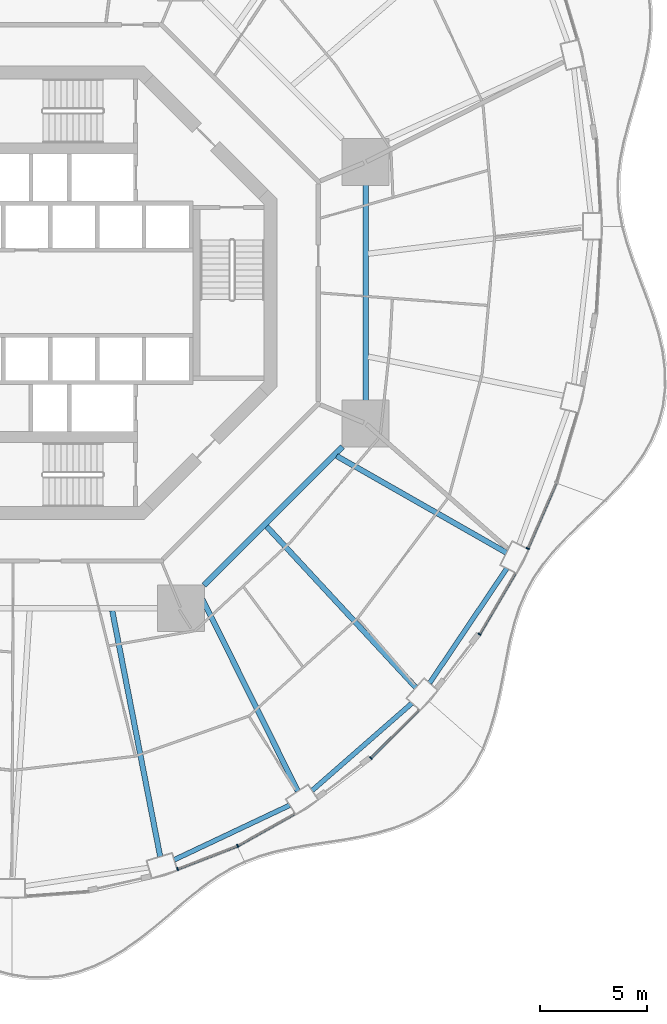
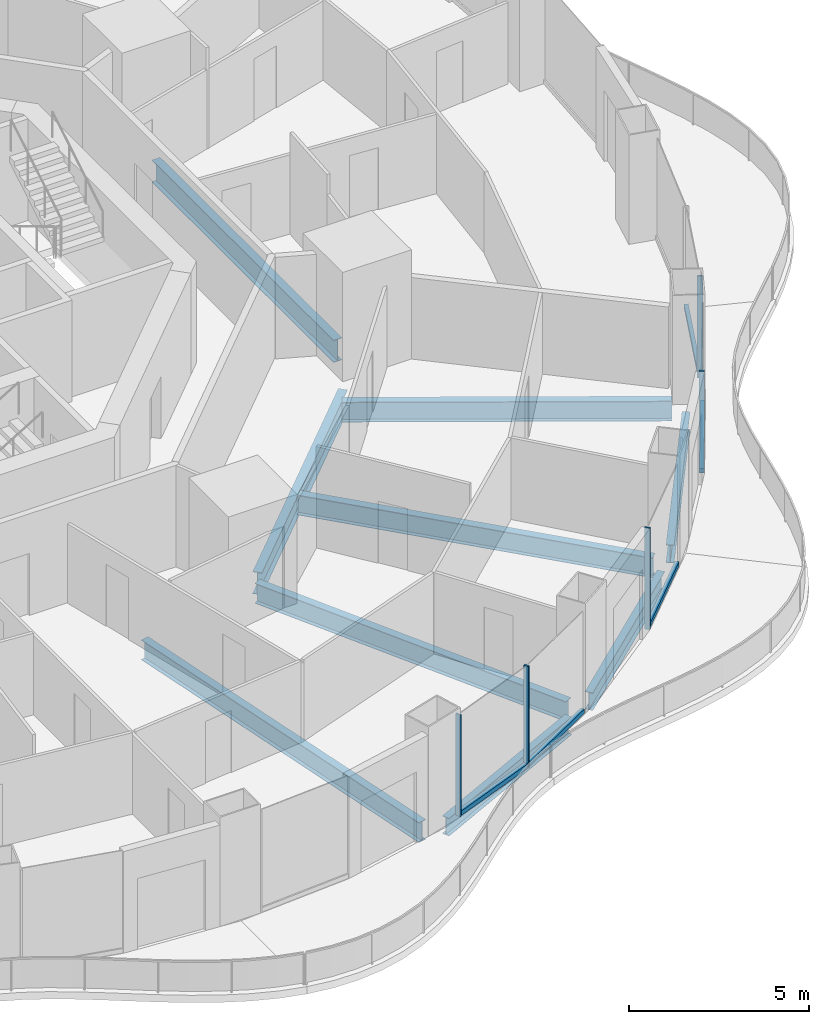
# One storey, part 5 of 22: 10 members, 9 beams, 5 elements without a shape of their own.
"""IFC4 building model written with IfcOpenShell, lengths in metres."""

from ifc_helpers import new_model, si_unit, direction, frame, origin, origin_2d, place, context, subcontext, project, spatial, rectangle, i_section, extrude, material, layer, layer_set, material_profile, profile_set, type_object, element, aggregate, save


model = new_model("IFC4")

# Units and contexts
model_context = context("Model", 3, precision=1e-05, world=origin(), true_north=direction((0.0, 1.0)))
body_context = subcontext(model_context, "Body", "Model", "MODEL_VIEW")
ifc_project = project(units=[si_unit("LENGTHUNIT", "METRE"), si_unit("AREAUNIT", "SQUARE_METRE"), si_unit("VOLUMEUNIT", "CUBIC_METRE"), si_unit("PLANEANGLEUNIT", "RADIAN"), si_unit("MASSUNIT", "GRAM", prefix="KILO")], contexts=[model_context])

# Site, building, storey
site_placement = place(None, origin())
site = spatial("IfcSite", under=ifc_project, at=site_placement, CompositionType="ELEMENT")
building_placement = place(site_placement, origin())
building = spatial("IfcBuilding", under=site, at=building_placement, Name="Nagisa Residences", CompositionType="ELEMENT")
storey_placement = place(building_placement, frame((0.0, 0.0, 80.699951171875)))
storey = spatial("IfcBuildingStorey", under=building, at=storey_placement, Name="L19", CompositionType="ELEMENT", Elevation=80.699951171875)

# Curtain wall, member
ifc_material_1 = material(Name="Concrete-coloured aluminium curtain wall system", Category="concrete")
ifc_layer = layer(ifc_material_1, 0.159912109375)
ifc_layer_set = layer_set([ifc_layer], Name="CW1 CURTAIN WALL")
curtain_wall_type = type_object("IfcCurtainWallType", Name="CW1 CURTAIN WALL", PredefinedType="NOTDEFINED", material=ifc_layer_set)
curtain_wall_1_placement = place(storey_placement, origin())
curtain_wall_1 = element("IfcCurtainWall", 1, at=curtain_wall_1_placement, inside=storey, type_object=curtain_wall_type, Name="cw:CW1:L19:38", PredefinedType="NOTDEFINED")
ifc_material_2 = material(Name="Concrete-coloured aluminium", Category="concrete")
ifc_material_profile_1 = material_profile(ifc_material_2, rectangle(XDim=0.159912109375, YDim=0.06005859375, at=origin_2d()), Name="CW1 MULLION 160x60")
ifc_profile_set_1 = profile_set([ifc_material_profile_1], Name="Concrete-coloured aluminium")
member_type_1 = type_object("IfcMemberType", Name="CW1 MULLION 160x60", PredefinedType="MULLION", material=ifc_profile_set_1)
member_1_placement = place(storey_placement, frame((5.973388671875, -27.00390625, 0.0), z_axis=(0.0, 0.0, 1.0), x_axis=(-0.360327770268, 0.932825759707, 0.0)))
member_1 = element("IfcMember", 2, at=member_1_placement, type_object=member_type_1, Name="CW1 mullion", PredefinedType="MULLION", context=body_context, shape_type="SweptSolid", body=[
    extrude(rectangle(XDim=0.159912109375, YDim=0.06005859375, at=origin_2d()), origin(), (0.0, 0.0, 1.0), 3.43994140625),
])

curtain_wall_2_placement = place(storey_placement, origin())
curtain_wall_2 = element("IfcCurtainWall", 3, at=curtain_wall_2_placement, inside=storey, type_object=curtain_wall_type, Name="cw:CW1:L19:39", PredefinedType="NOTDEFINED")
member_2_placement = place(storey_placement, frame((8.785400390625, -25.913818359375, 0.0), z_axis=(0.0, 0.0, 1.0), x_axis=(-0.489376918501, 0.872072377523, 0.0)))
member_2 = element("IfcMember", 4, at=member_2_placement, type_object=member_type_1, Name="CW1 mullion", PredefinedType="MULLION", context=body_context, shape_type="SweptSolid", body=[
    extrude(rectangle(XDim=0.159912109375, YDim=0.06005859375, at=origin_2d()), origin(), (0.0, 0.0, 1.0), 3.43994140625),
])

curtain_wall_3_placement = place(storey_placement, origin())
curtain_wall_3 = element("IfcCurtainWall", 5, at=curtain_wall_3_placement, inside=storey, type_object=curtain_wall_type, Name="cw:CW1:L19:41", PredefinedType="NOTDEFINED")
member_3_placement = place(storey_placement, frame((15.0244140625, -21.80712890625, 0.0), z_axis=(0.0, 0.0, 1.0), x_axis=(-0.706376885714, 0.707835924016, 0.0)))
member_3 = element("IfcMember", 6, at=member_3_placement, type_object=member_type_1, Name="CW1 mullion", PredefinedType="MULLION", context=body_context, shape_type="SweptSolid", body=[
    extrude(rectangle(XDim=0.159912109375, YDim=0.06005859375, at=origin_2d()), origin(), (0.0, 0.0, 1.0), 3.43994140625),
])

curtain_wall_4_placement = place(storey_placement, origin())
curtain_wall_4 = element("IfcCurtainWall", 7, at=curtain_wall_4_placement, inside=storey, type_object=curtain_wall_type, Name="cw:CW1:L19:43", PredefinedType="NOTDEFINED")
member_4_placement = place(storey_placement, frame((20.1181640625, -16.0009765625, 0.0), z_axis=(0.0, 0.0, 1.0), x_axis=(-0.862328898214, 0.506348567002, 0.0)))
member_4 = element("IfcMember", 8, at=member_4_placement, type_object=member_type_1, Name="CW1 mullion", PredefinedType="MULLION", context=body_context, shape_type="SweptSolid", body=[
    extrude(rectangle(XDim=0.159912109375, YDim=0.06005859375, at=origin_2d()), origin(), (0.0, 0.0, 1.0), 3.43994140625),
])

curtain_wall_5_placement = place(storey_placement, origin())
curtain_wall_5 = element("IfcCurtainWall", 9, at=curtain_wall_5_placement, inside=storey, type_object=curtain_wall_type, Name="cw:CW1:L19:44", PredefinedType="NOTDEFINED")
member_5_placement = place(storey_placement, frame((22.381591796875, -11.984130859375, 0.0), z_axis=(0.0, 0.0, 1.0), x_axis=(-0.917543276295, 0.397635934147, 0.0)))
member_5 = element("IfcMember", 10, at=member_5_placement, type_object=member_type_1, Name="CW1 mullion", PredefinedType="MULLION", context=body_context, shape_type="SweptSolid", body=[
    extrude(rectangle(XDim=0.159912109375, YDim=0.06005859375, at=origin_2d()), origin(), (0.0, 0.0, 1.0), 3.43994140625),
])

# Member
ifc_material_3 = material(Name="Concrete-coloured aluminium", Category="concrete")
ifc_material_profile_2 = material_profile(ifc_material_3, rectangle(XDim=0.1201171875, YDim=0.14990234375, at=origin_2d()), Name="CW1 TRANSOM 120x150")
ifc_profile_set_2 = profile_set([ifc_material_profile_2], Name="Concrete-coloured aluminium")
member_type_2 = type_object("IfcMemberType", Name="CW1 TRANSOM 120x150", PredefinedType="USERDEFINED", material=ifc_profile_set_2)
member_6_placement = place(storey_placement, frame((5.945556640625, -27.0146484375, 0.074951171875), z_axis=(0.932827091302, 0.360324322982, 0.0), x_axis=(-0.360324322982, 0.932827091302, 0.0)))
member_6 = element("IfcMember", 11, at=member_6_placement, type_object=member_type_2, Name="CW1 transom", ObjectType="TRANSOM", PredefinedType="USERDEFINED", context=body_context, shape_type="SweptSolid", body=[
    extrude(rectangle(XDim=0.1201171875, YDim=0.14990234375, at=origin_2d()), origin(), (0.0, 0.0, 1.0), 3.02734375),
])

aggregate(curtain_wall_1, [member_1, member_6])

member_7_placement = place(storey_placement, frame((8.75927734375, -25.9287109375, 0.074951171875), z_axis=(0.872037280335, 0.489439456631, 0.0), x_axis=(-0.489439456631, 0.872037280335, 0.0)))
member_7 = element("IfcMember", 12, at=member_7_placement, type_object=member_type_2, Name="CW1 transom", ObjectType="TRANSOM", PredefinedType="USERDEFINED", context=body_context, shape_type="SweptSolid", body=[
    extrude(rectangle(XDim=0.1201171875, YDim=0.14990234375, at=origin_2d()), origin(), (0.0, 0.0, 1.0), 3.07568359375),
])

aggregate(curtain_wall_2, [member_2, member_7])

member_8_placement = place(storey_placement, frame((15.003173828125, -21.828125, 0.074951171875), z_axis=(0.707831724839, 0.70638109354, 0.0), x_axis=(-0.70638109354, 0.707831724839, 0.0)))
member_8 = element("IfcMember", 13, at=member_8_placement, type_object=member_type_2, Name="CW1 transom", ObjectType="TRANSOM", PredefinedType="USERDEFINED", context=body_context, shape_type="SweptSolid", body=[
    extrude(rectangle(XDim=0.1201171875, YDim=0.14990234375, at=origin_2d()), origin(), (0.0, 0.0, 1.0), 3.19775390625),
])

aggregate(curtain_wall_3, [member_3, member_8])

member_9_placement = place(storey_placement, frame((20.10302734375, -16.02685546875, 0.074951171875), z_axis=(0.506329983076, 0.86233981019, 0.0), x_axis=(-0.86233981019, 0.506329983076, 0.0)))
member_9 = element("IfcMember", 14, at=member_9_placement, type_object=member_type_2, Name="CW1 transom", ObjectType="TRANSOM", PredefinedType="USERDEFINED", context=body_context, shape_type="SweptSolid", body=[
    extrude(rectangle(XDim=0.1201171875, YDim=0.14990234375, at=origin_2d()), origin(), (0.0, 0.0, 1.0), 3.32470703125),
])

aggregate(curtain_wall_4, [member_4, member_9])

member_10_placement = place(storey_placement, frame((22.36962890625, -12.011474609375, 0.074951171875), z_axis=(0.397621629246, 0.917549475481, 0.0), x_axis=(-0.917549475481, 0.397621629246, 0.0)))
member_10 = element("IfcMember", 15, at=member_10_placement, type_object=member_type_2, Name="CW1 transom", ObjectType="TRANSOM", PredefinedType="USERDEFINED", context=body_context, shape_type="SweptSolid", body=[
    extrude(rectangle(XDim=0.1201171875, YDim=0.14990234375, at=origin_2d()), origin(), (0.0, 0.0, 1.0), 3.37939453125),
])

aggregate(curtain_wall_5, [member_5, member_10])

# Beams
ifc_material_4 = material(Name="Steel ASTM A572 Gr 50", Category="steel")
ifc_material_profile_3 = material_profile(ifc_material_4, i_section(OverallWidth=0.264892578125, OverallDepth=0.7529296875, WebThickness=0.01318359375, FlangeThickness=0.01708984375, at=origin_2d()), Name="W760x147")
ifc_profile_set_3 = profile_set([ifc_material_profile_3], Name="Steel ASTM A572 Gr 50")
beam_type_1 = type_object("IfcBeamType", Name="Inner ring beam W760x147", PredefinedType="BEAM", material=ifc_profile_set_3)
beam_1_placement = place(storey_placement, frame((7.208740234375, -13.6962890625, -0.636474609375), z_axis=(0.707106781187, 0.707106781187, 0.0), x_axis=(-0.707106781187, 0.707106781187, 0.0)))
element("IfcBeam", 16, at=beam_1_placement, inside=storey, type_object=beam_type_1, Name="beam:L19:ib7", PredefinedType="BEAM", context=body_context, shape_type="SweptSolid", body=[
    extrude(i_section(OverallWidth=0.264892578125, OverallDepth=0.7529296875, WebThickness=0.01318359375, FlangeThickness=0.01708984375, at=origin_2d()), origin(), (0.0, 0.0, 1.0), 9.1748046875),
])
beam_2_placement = place(storey_placement, frame((14.781982421875, -5.04296875, -0.636474609375), z_axis=(0.0, 1.0, 0.0), x_axis=(-1.0, 0.0, 0.0)))
element("IfcBeam", 17, at=beam_2_placement, inside=storey, type_object=beam_type_1, Name="beam:L19:ib8", PredefinedType="BEAM", context=body_context, shape_type="SweptSolid", body=[
    extrude(i_section(OverallWidth=0.264892578125, OverallDepth=0.7529296875, WebThickness=0.01318359375, FlangeThickness=0.01708984375, at=origin_2d()), origin(), (0.0, 0.0, 1.0), 10.0859375),
])
ifc_material_5 = material(Name="Steel ASTM A572 Gr 50", Category="steel")
ifc_material_profile_4 = material_profile(ifc_material_5, i_section(OverallWidth=0.22802734375, OverallDepth=0.60302734375, WebThickness=0.010498046875, FlangeThickness=0.014892578125, at=origin_2d()), Name="W610x101")
ifc_profile_set_4 = profile_set([ifc_material_profile_4], Name="Steel ASTM A572 Gr 50")
beam_type_2 = type_object("IfcBeamType", Name="Perimeter ring beam W610x101", PredefinedType="BEAM", material=ifc_profile_set_4)
beam_3_placement = place(storey_placement, frame((5.814453125, -26.568359375, -0.5615234375), z_axis=(0.904196975776, 0.427115709144, 0.0), x_axis=(-0.427115709144, 0.904196975776, 0.0)))
element("IfcBeam", 18, at=beam_3_placement, inside=storey, type_object=beam_type_2, Name="beam:L19:pb20", PredefinedType="BEAM", context=body_context, shape_type="SweptSolid", body=[
    extrude(i_section(OverallWidth=0.22802734375, OverallDepth=0.60302734375, WebThickness=0.010498046875, FlangeThickness=0.014892578125, at=origin_2d()), origin(), (0.0, 0.0, 1.0), 5.980712890625),
])
beam_4_placement = place(storey_placement, frame((12.2763671875, -23.322998046875, -0.5615234375), z_axis=(0.752525569707, 0.658563031863, 0.0), x_axis=(-0.658563031863, 0.752525569707, 0.0)))
element("IfcBeam", 19, at=beam_4_placement, inside=storey, type_object=beam_type_2, Name="beam:L19:pb21", PredefinedType="BEAM", context=body_context, shape_type="SweptSolid", body=[
    extrude(i_section(OverallWidth=0.22802734375, OverallDepth=0.60302734375, WebThickness=0.010498046875, FlangeThickness=0.014892578125, at=origin_2d()), origin(), (0.0, 0.0, 1.0), 6.21240234375),
])
beam_5_placement = place(storey_placement, frame((17.784423828125, -18.2861328125, -0.5615234375), z_axis=(0.558229575935, 0.829686531499, 0.0), x_axis=(-0.829686531499, 0.558229575935, 0.0)))
element("IfcBeam", 20, at=beam_5_placement, inside=storey, type_object=beam_type_2, Name="beam:L19:pb22", PredefinedType="BEAM", context=body_context, shape_type="SweptSolid", body=[
    extrude(i_section(OverallWidth=0.22802734375, OverallDepth=0.60302734375, WebThickness=0.010498046875, FlangeThickness=0.014892578125, at=origin_2d()), origin(), (0.0, 0.0, 1.0), 6.471923828125),
])
ifc_material_6 = material(Name="Steel ASTM A572 Gr 50", Category="steel")
ifc_material_profile_5 = material_profile(ifc_material_6, i_section(OverallWidth=0.2529296875, OverallDepth=0.677978515625, WebThickness=0.01171875, FlangeThickness=0.016357421875, at=origin_2d()), Name="W690x125")
ifc_profile_set_5 = profile_set([ifc_material_profile_5], Name="Steel ASTM A572 Gr 50")
beam_type_3 = type_object("IfcBeamType", Name="Radial beam W690x125", PredefinedType="BEAM", material=ifc_profile_set_5)
beam_6_placement = place(storey_placement, frame((5.15576171875, -26.416015625, -0.598876953125), z_axis=(-0.191554340045, 0.981482009417, 0.0), x_axis=(-0.981482009417, -0.191554340045, 0.0)))
element("IfcBeam", 21, at=beam_6_placement, inside=storey, type_object=beam_type_3, Name="beam:L19:rb20", PredefinedType="BEAM", context=body_context, shape_type="SweptSolid", body=[
    extrude(i_section(OverallWidth=0.2529296875, OverallDepth=0.677978515625, WebThickness=0.01171875, FlangeThickness=0.016357421875, at=origin_2d()), origin(), (0.0, 0.0, 1.0), 11.73828125),
])
beam_7_placement = place(storey_placement, frame((11.604736328125, -23.35400390625, -0.598876953125), z_axis=(-0.444988448889, 0.895536308787, 0.0), x_axis=(-0.895536308787, -0.444988448889, 0.0)))
element("IfcBeam", 22, at=beam_7_placement, inside=storey, type_object=beam_type_3, Name="beam:L19:rb21", PredefinedType="BEAM", context=body_context, shape_type="SweptSolid", body=[
    extrude(i_section(OverallWidth=0.2529296875, OverallDepth=0.677978515625, WebThickness=0.01171875, FlangeThickness=0.016357421875, at=origin_2d()), origin(), (0.0, 0.0, 1.0), 10.364013671875),
])
beam_8_placement = place(storey_placement, frame((17.135986328125, -18.49609375, -0.598876953125), z_axis=(-0.67961674612, 0.733567364591, 0.0), x_axis=(-0.733567364591, -0.67961674612, 0.0)))
element("IfcBeam", 23, at=beam_8_placement, inside=storey, type_object=beam_type_3, Name="beam:L19:rb22", PredefinedType="BEAM", context=body_context, shape_type="SweptSolid", body=[
    extrude(i_section(OverallWidth=0.2529296875, OverallDepth=0.677978515625, WebThickness=0.01171875, FlangeThickness=0.016357421875, at=origin_2d()), origin(), (0.0, 0.0, 1.0), 10.30859375),
])
beam_9_placement = place(storey_placement, frame((21.37744140625, -12.1767578125, -0.598876953125), z_axis=(-0.868924854865, 0.494944033804, 0.0), x_axis=(-0.494944033804, -0.868924854865, 0.0)))
element("IfcBeam", 24, at=beam_9_placement, inside=storey, type_object=beam_type_3, Name="beam:L19:rb23", PredefinedType="BEAM", context=body_context, shape_type="SweptSolid", body=[
    extrude(i_section(OverallWidth=0.2529296875, OverallDepth=0.677978515625, WebThickness=0.01171875, FlangeThickness=0.016357421875, at=origin_2d()), origin(), (0.0, 0.0, 1.0), 9.156982421875),
])

save(model, "model.ifc")
